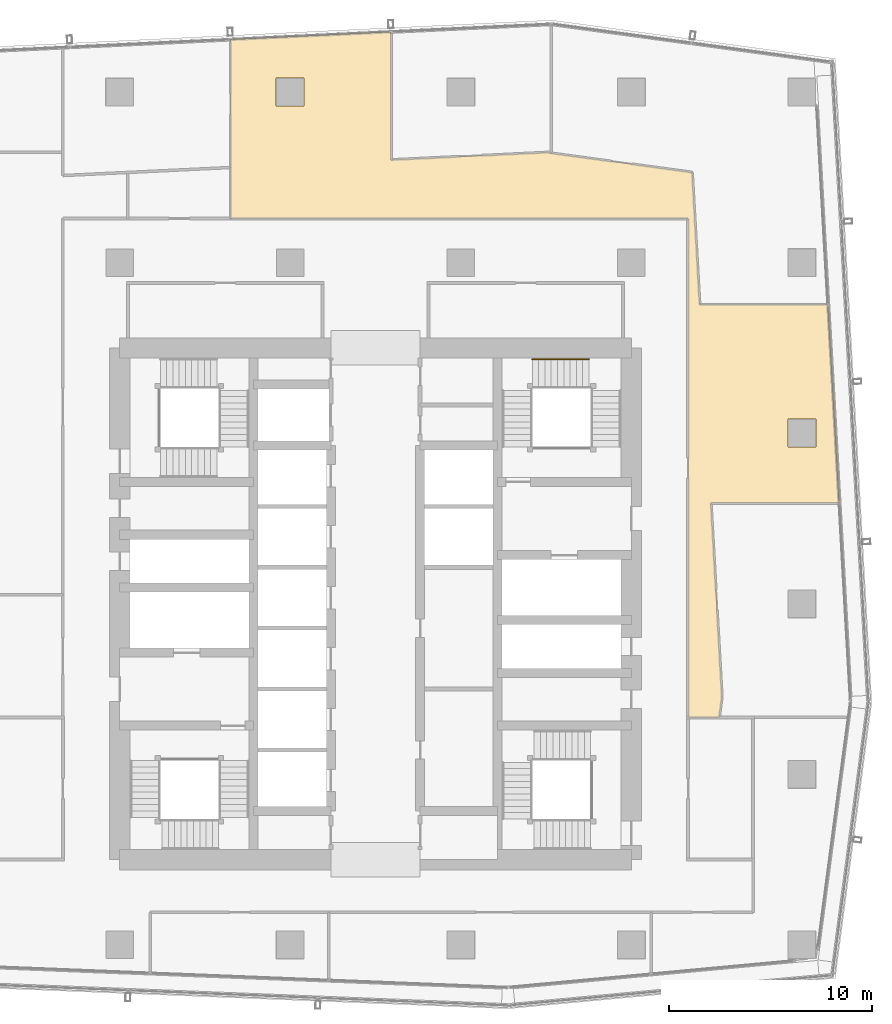
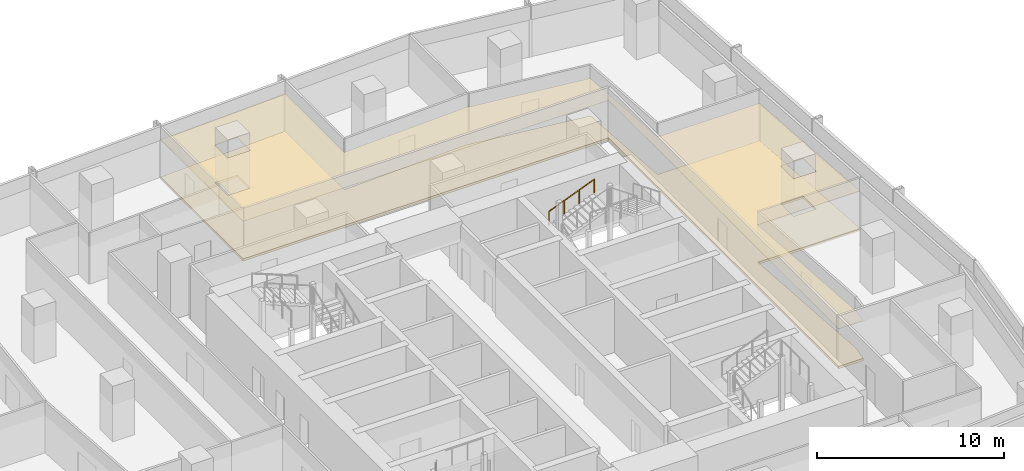
# One storey, part 37 of 39: 2 coverings, 1 railing.
"""IFC4 building model written with IfcOpenShell, lengths in metres."""

from ifc_helpers import new_model, si_unit, direction, frame, origin, origin_2d, place, context, subcontext, project, spatial, polyline, circle, outline, extrude, material, layer, layer_set, type_object, element, save


model = new_model("IFC4")

# Units and contexts
model_context = context("Model", 3, precision=1e-05, world=origin(), true_north=direction((0.0, 1.0)))
body_context = subcontext(model_context, "Body", "Model", "MODEL_VIEW")
ifc_project = project(units=[si_unit("LENGTHUNIT", "METRE"), si_unit("AREAUNIT", "SQUARE_METRE"), si_unit("VOLUMEUNIT", "CUBIC_METRE"), si_unit("PLANEANGLEUNIT", "RADIAN"), si_unit("MASSUNIT", "GRAM", prefix="KILO")], contexts=[model_context])

# Site, building, storey
site_placement = place(None, origin())
site = spatial("IfcSite", under=ifc_project, at=site_placement, CompositionType="ELEMENT")
building_placement = place(site_placement, origin())
building = spatial("IfcBuilding", under=site, at=building_placement, Name="Rekha Terrace Tower", CompositionType="ELEMENT")
storey_placement = place(building_placement, frame((0.0, 0.0, 225.199951171875)))
storey = spatial("IfcBuildingStorey", under=building, at=storey_placement, Name="L57", CompositionType="ELEMENT", Elevation=225.199951171875)

# Covering
ifc_material_1 = material(Name="Mineral fibre tile in exposed grid", Category="finish")
ifc_layer_1 = layer(ifc_material_1, 0.02001953125)
ifc_layer_set_1 = layer_set([ifc_layer_1], Name="Mineral fibre tile in exposed grid")
covering_type_1 = type_object("IfcCoveringType", Name="CL1 600x1200 office grid ceiling", PredefinedType="CEILING", material=ifc_layer_set_1)
covering_1_placement = place(storey_placement, frame((0.0, 0.0, 2.580078125)))
element("IfcCovering", 1, at=covering_1_placement, inside=storey, type_object=covering_type_1, Name="Ceiling L57-O1", PredefinedType="CEILING", context=body_context, shape_type="SweptSolid", body=[
    extrude(outline(polyline([(46.201904296875, 55.8291015625), (38.571044921875, 55.464111328125), (38.571044921875, 61.77099609375), (30.660888671875, 61.39306640625), (30.660888671875, 52.574951171875), (53.199951171875, 52.574951171875), (53.199951171875, 28.0), (54.72705078125, 28.0), (54.72900390625, 28.014892578125), (54.862060546875, 29.01708984375), (54.321044921875, 38.554931640625), (60.631103515625, 38.554931640625), (60.075927734375, 48.33203125), (53.76611328125, 48.33203125), (53.39599609375, 54.85009765625), (46.444091796875, 55.7958984375), (46.201904296875, 55.8291015625)]), holes=[polyline([(59.489990234375, 41.31005859375), (58.110107421875, 41.31005859375), (58.110107421875, 42.68994140625), (59.489990234375, 42.68994140625), (59.489990234375, 41.31005859375)]), polyline([(34.2900390625, 58.110107421875), (32.909912109375, 58.110107421875), (32.909912109375, 59.489990234375), (34.2900390625, 59.489990234375), (34.2900390625, 58.110107421875)])]), origin(), (0.0, 0.0, 1.0), 0.02001953125),
])

# Railing
ifc_material_2 = material(Name="Stainless steel tube", Category="steel")
railing_type = type_object("IfcRailingType", Name="HR1 900 stair handrail", PredefinedType="HANDRAIL", material=ifc_material_2)
railing_placement = place(storey_placement, frame((45.52490234375, 45.639892578125, 1.375)))
element("IfcRailing", 2, at=railing_placement, inside=storey, type_object=railing_type, Name="Handrail ST2 L57 flight 2", PredefinedType="HANDRAIL", context=body_context, shape_type="SweptSolid", body=[
    extrude(circle(Radius=0.02392578125, at=origin_2d()), frame((0.0, 0.0, 0.8759765625), z_axis=(0.927443287984, 0.0, 0.373963831907), x_axis=(0.0, 1.0, 0.0)), (0.0, 0.0, 1.0), 3.00830078125),
    extrude(circle(Radius=0.02099609375, at=origin_2d()), origin(), (0.0, 0.0, 1.0), 0.851806640625),
    extrude(circle(Radius=0.02099609375, at=origin_2d()), frame((0.929931640625, 0.0, 0.375)), (0.0, 0.0, 1.0), 0.851806640625),
    extrude(circle(Radius=0.02099609375, at=origin_2d()), frame((1.860107421875, 0.0, 0.75)), (0.0, 0.0, 1.0), 0.851806640625),
    extrude(circle(Radius=0.02099609375, at=origin_2d()), frame((2.7900390625, 0.0, 1.125)), (0.0, 0.0, 1.0), 0.851806640625),
])

# Covering
ifc_material_3 = material(Name="Calcium sulphate panels on steel pedestals", Category="steel")
ifc_layer_2 = layer(ifc_material_3, 0.14990234375)
ifc_layer_set_2 = layer_set([ifc_layer_2], Name="Calcium sulphate panels on steel pedestals")
covering_type_2 = type_object("IfcCoveringType", Name="RF1 150 raised access floor", PredefinedType="FLOORING", material=ifc_layer_set_2)
covering_2_placement = place(storey_placement, origin())
element("IfcCovering", 3, at=covering_2_placement, inside=storey, type_object=covering_type_2, Name="Raised floor L57-O1", PredefinedType="FLOORING", context=body_context, shape_type="SweptSolid", body=[
    extrude(outline(polyline([(46.201904296875, 55.8291015625), (38.571044921875, 55.464111328125), (38.571044921875, 61.77099609375), (30.660888671875, 61.39306640625), (30.660888671875, 52.574951171875), (53.199951171875, 52.574951171875), (53.199951171875, 28.0), (54.72705078125, 28.0), (54.72900390625, 28.014892578125), (54.862060546875, 29.01708984375), (54.321044921875, 38.554931640625), (60.631103515625, 38.554931640625), (60.075927734375, 48.33203125), (53.76611328125, 48.33203125), (53.39599609375, 54.85009765625), (46.444091796875, 55.7958984375), (46.201904296875, 55.8291015625)]), holes=[polyline([(59.489990234375, 41.31005859375), (58.110107421875, 41.31005859375), (58.110107421875, 42.68994140625), (59.489990234375, 42.68994140625), (59.489990234375, 41.31005859375)]), polyline([(34.2900390625, 58.110107421875), (32.909912109375, 58.110107421875), (32.909912109375, 59.489990234375), (34.2900390625, 59.489990234375), (34.2900390625, 58.110107421875)])]), origin(), (0.0, 0.0, 1.0), 0.150146484375),
])

save(model, "model.ifc")
